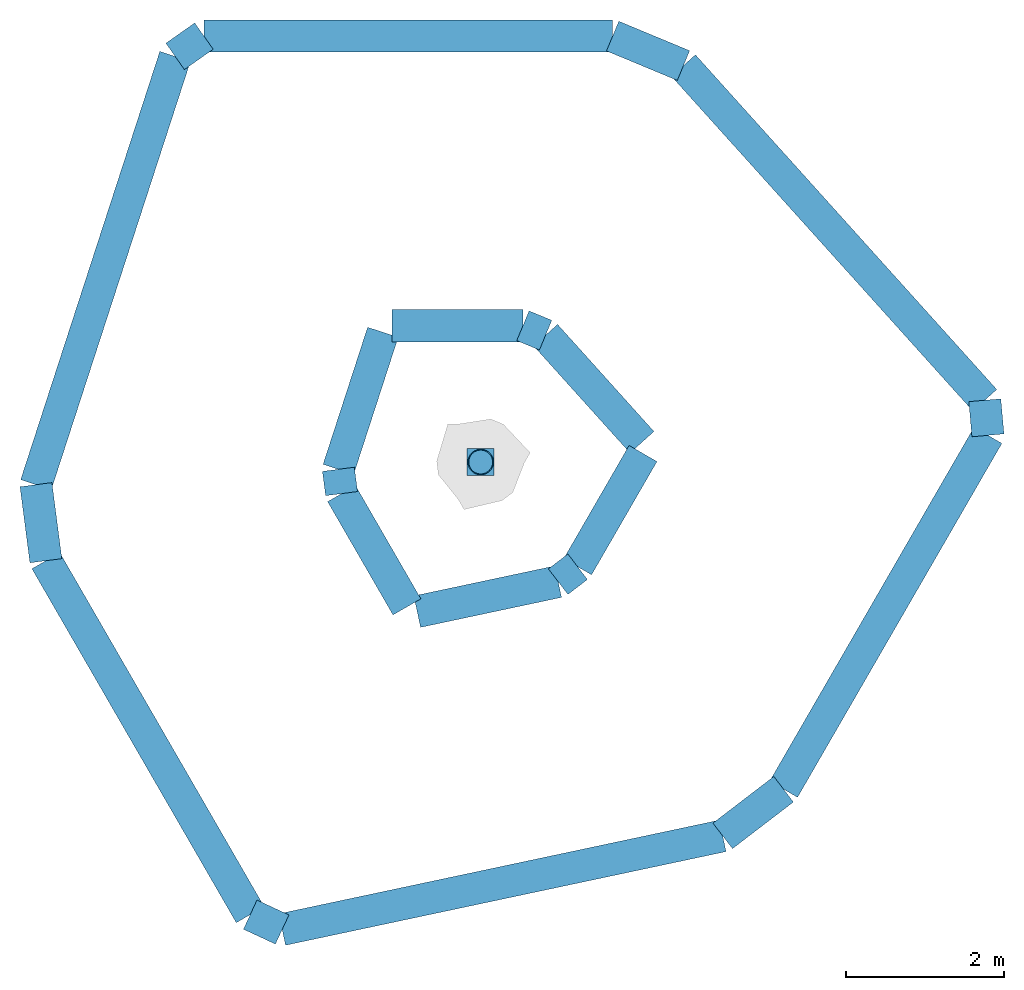
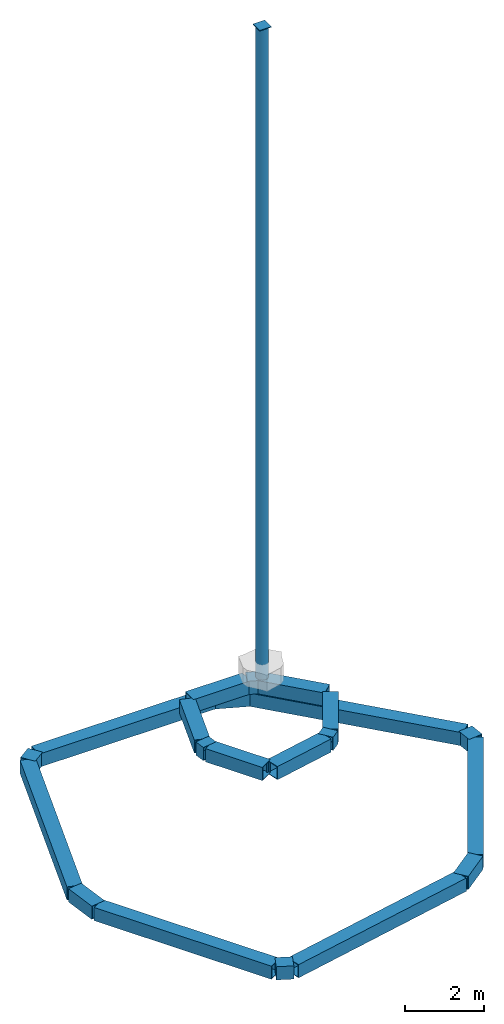
# One storey, part 1 of 2: 21 beams, 1 discrete accessory, 1 member.
"""IFC4 building model written with IfcOpenShell, lengths in metres."""

from ifc_helpers import new_model, si_unit, direction, frame, origin, origin_2d, place, context, subcontext, project, spatial, rectangle, hollow_rectangle, hollow_circle, extrude, material, material_profile, profile_set, type_object, element, save


model = new_model("IFC4")

# Units and contexts
model_context = context("Model", 3, precision=1e-05, world=origin(), true_north=direction((0.0, 1.0)))
body_context = subcontext(model_context, "Body", "Model", "MODEL_VIEW")
ifc_project = project(units=[si_unit("LENGTHUNIT", "METRE"), si_unit("AREAUNIT", "SQUARE_METRE"), si_unit("VOLUMEUNIT", "CUBIC_METRE"), si_unit("PLANEANGLEUNIT", "RADIAN"), si_unit("MASSUNIT", "GRAM", prefix="KILO")], contexts=[model_context])

# Site, building, storey
site_placement = place(None, origin())
site = spatial("IfcSite", under=ifc_project, at=site_placement, CompositionType="ELEMENT")
building_placement = place(site_placement, origin())
building = spatial("IfcBuilding", under=site, at=building_placement, Name="Isthmus Gate Tower", CompositionType="ELEMENT")
storey_placement = place(building_placement, frame((0.0, 0.0, 329.10009765625)))
storey = spatial("IfcBuildingStorey", under=building, at=storey_placement, Name="C7", CompositionType="ELEMENT", Elevation=329.10009765625)

# Beams
ifc_material_1 = material(Name="Structural steel ASTM A500 Gr C", Category="steel")
ifc_material_profile_1 = material_profile(ifc_material_1, hollow_rectangle(XDim=0.406494140625, YDim=0.406494140625, WallThickness=0.017578125, at=origin_2d()), Name="HSS16X16X3/4")
ifc_profile_set_1 = profile_set([ifc_material_profile_1], Name="Structural steel ASTM A500 Gr C")
beam_type_1 = type_object("IfcBeamType", Name="PYRAMID CAP RING HSS16X16X3/4", PredefinedType="BEAM", material=ifc_profile_set_1)
beam_1_placement = place(storey_placement, frame((0.53271484375, 1.719970703125, 3.059814453125), z_axis=(-1.0, 0.0, 0.0), x_axis=(0.0, -1.0, 0.0)))
element("IfcBeam", 1, at=beam_1_placement, inside=storey, type_object=beam_type_1, Name="str-crowncap-C7-00", PredefinedType="BEAM", context=body_context, shape_type="SweptSolid", body=[
    extrude(hollow_rectangle(XDim=0.406494140625, YDim=0.406494140625, WallThickness=0.017578125, at=origin_2d()), origin(), (0.0, 0.0, 1.0), 1.650146484375),
])
beam_2_placement = place(storey_placement, frame((-1.23388671875, 1.63818359375, 3.059814453125), z_axis=(-0.3090101892, -0.951058727404, 0.0), x_axis=(0.951058727404, -0.3090101892, 0.0)))
element("IfcBeam", 2, at=beam_2_placement, inside=storey, type_object=beam_type_1, Name="str-crowncap-C7-02", PredefinedType="BEAM", context=body_context, shape_type="SweptSolid", body=[
    extrude(hollow_rectangle(XDim=0.406494140625, YDim=0.406494140625, WallThickness=0.017578125, at=origin_2d()), origin(), (0.0, 0.0, 1.0), 1.81884765625),
])
beam_3_placement = place(storey_placement, frame((-1.7958984375, -0.091552734375, 3.059814453125), z_axis=(0.129271787561, -0.991609199706, 0.0), x_axis=(0.991609199706, 0.129271787561, 0.0)))
element("IfcBeam", 3, at=beam_3_placement, inside=storey, type_object=beam_type_1, Name="str-crowncap-C7-03", PredefinedType="BEAM", context=body_context, shape_type="SweptSolid", body=[
    extrude(hollow_rectangle(XDim=0.406494140625, YDim=0.406494140625, WallThickness=0.017578125, at=origin_2d()), origin(), (0.0, 0.0, 1.0), 0.309814453125),
])
beam_4_placement = place(storey_placement, frame((-1.755859375, -0.398681640625, 3.059814453125), z_axis=(0.499910289107, -0.866077192197, 0.0), x_axis=(0.866077192197, 0.499910289107, 0.0)))
element("IfcBeam", 4, at=beam_4_placement, inside=storey, type_object=beam_type_1, Name="str-crowncap-C7-04", PredefinedType="BEAM", context=body_context, shape_type="SweptSolid", body=[
    extrude(hollow_rectangle(XDim=0.406494140625, YDim=0.406494140625, WallThickness=0.017578125, at=origin_2d()), origin(), (0.0, 0.0, 1.0), 1.650146484375),
])
beam_5_placement = place(storey_placement, frame((-0.801513671875, -1.8876953125, 3.059814453125), z_axis=(0.978139057334, 0.207951880292, 0.0), x_axis=(-0.207951880292, 0.978139057334, 0.0)))
element("IfcBeam", 5, at=beam_5_placement, inside=storey, type_object=beam_type_1, Name="str-crowncap-C7-06", PredefinedType="BEAM", context=body_context, shape_type="SweptSolid", body=[
    extrude(hollow_rectangle(XDim=0.406494140625, YDim=0.406494140625, WallThickness=0.017578125, at=origin_2d()), origin(), (0.0, 0.0, 1.0), 1.818603515625),
])
beam_6_placement = place(storey_placement, frame((0.977294921875, -1.509521484375, 3.059814453125), z_axis=(0.79438022361, 0.607420826395, 0.0), x_axis=(-0.607420826395, 0.79438022361, 0.0)))
element("IfcBeam", 6, at=beam_6_placement, inside=storey, type_object=beam_type_1, Name="str-crowncap-C7-07", PredefinedType="BEAM", context=body_context, shape_type="SweptSolid", body=[
    extrude(hollow_rectangle(XDim=0.406494140625, YDim=0.406494140625, WallThickness=0.017578125, at=origin_2d()), origin(), (0.0, 0.0, 1.0), 0.3095703125),
])
beam_7_placement = place(storey_placement, frame((1.22314453125, -1.321533203125, 3.059814453125), z_axis=(0.499957196903, 0.866050114754, 0.0), x_axis=(-0.866050114754, 0.499957196903, 0.0)))
element("IfcBeam", 7, at=beam_7_placement, inside=storey, type_object=beam_type_1, Name="str-crowncap-C7-08", PredefinedType="BEAM", context=body_context, shape_type="SweptSolid", body=[
    extrude(hollow_rectangle(XDim=0.406494140625, YDim=0.406494140625, WallThickness=0.017578125, at=origin_2d()), origin(), (0.0, 0.0, 1.0), 1.650634765625),
])
beam_8_placement = place(storey_placement, frame((2.03564453125, 0.249755859375, 3.059814453125), z_axis=(-0.669150152324, 0.743127225746, 0.0), x_axis=(-0.743127225746, -0.669150152324, 0.0)))
element("IfcBeam", 8, at=beam_8_placement, inside=storey, type_object=beam_type_1, Name="str-crowncap-C7-10", PredefinedType="BEAM", context=body_context, shape_type="SweptSolid", body=[
    extrude(hollow_rectangle(XDim=0.406494140625, YDim=0.406494140625, WallThickness=0.017578125, at=origin_2d()), origin(), (0.0, 0.0, 1.0), 1.818359375),
])
beam_9_placement = place(storey_placement, frame((0.81884765625, 1.60107421875, 3.059814453125), z_axis=(-0.923449471837, 0.383720045038, 0.0), x_axis=(-0.383720045038, -0.923449471837, 0.0)))
element("IfcBeam", 9, at=beam_9_placement, inside=storey, type_object=beam_type_1, Name="str-crowncap-C7-11", PredefinedType="BEAM", context=body_context, shape_type="SweptSolid", body=[
    extrude(hollow_rectangle(XDim=0.406494140625, YDim=0.406494140625, WallThickness=0.017578125, at=origin_2d()), origin(), (0.0, 0.0, 1.0), 0.309814453125),
])
ifc_material_2 = material(Name="Structural steel ASTM A500 Gr C", Category="steel")
ifc_material_profile_2 = material_profile(ifc_material_2, hollow_rectangle(XDim=0.406494140625, YDim=0.406494140625, WallThickness=0.017578125, at=origin_2d()), Name="HSS16X16X3/4")
ifc_profile_set_2 = profile_set([ifc_material_profile_2], Name="Structural steel ASTM A500 Gr C")
beam_type_2 = type_object("IfcBeamType", Name="PYRAMID RING BEAM HSS16X16X3/4", PredefinedType="BEAM", material=ifc_profile_set_2)
beam_10_placement = place(storey_placement, frame((1.6650390625, 5.375, 0.0), z_axis=(-1.0, 0.0, 0.0), x_axis=(0.0, -1.0, 0.0)))
element("IfcBeam", 10, at=beam_10_placement, inside=storey, type_object=beam_type_2, Name="str-crownring-C7-00", PredefinedType="BEAM", context=body_context, shape_type="SweptSolid", body=[
    extrude(hollow_rectangle(XDim=0.406494140625, YDim=0.406494140625, WallThickness=0.017578125, at=origin_2d()), origin(), (0.0, 0.0, 1.0), 5.157470703125),
])
beam_11_placement = place(storey_placement, frame((-3.492431640625, 5.375, 0.0), z_axis=(-0.817682043663, -0.575670109934, 0.0), x_axis=(0.575670109934, -0.817682043663, 0.0)))
element("IfcBeam", 11, at=beam_11_placement, inside=storey, type_object=beam_type_2, Name="str-crownring-C7-01", PredefinedType="BEAM", context=body_context, shape_type="SweptSolid", body=[
    extrude(hollow_rectangle(XDim=0.406494140625, YDim=0.406494140625, WallThickness=0.017578125, at=origin_2d()), origin(), (0.0, 0.0, 1.0), 0.44482421875),
])
beam_12_placement = place(storey_placement, frame((-3.856201171875, 5.118896484375, 0.0), z_axis=(-0.309014187454, -0.951057428314, 0.0), x_axis=(0.951057428314, -0.309014187454, 0.0)))
element("IfcBeam", 12, at=beam_12_placement, inside=storey, type_object=beam_type_2, Name="str-crownring-C7-02", PredefinedType="BEAM", context=body_context, shape_type="SweptSolid", body=[
    extrude(hollow_rectangle(XDim=0.406494140625, YDim=0.406494140625, WallThickness=0.017578125, at=origin_2d()), origin(), (0.0, 0.0, 1.0), 5.682861328125),
])
beam_13_placement = place(storey_placement, frame((-5.6123046875, -0.285888671875, 0.0), z_axis=(0.12915584972, -0.991624307126, 0.0), x_axis=(0.991624307126, 0.12915584972, 0.0)))
element("IfcBeam", 13, at=beam_13_placement, inside=storey, type_object=beam_type_2, Name="str-crownring-C7-03", PredefinedType="BEAM", context=body_context, shape_type="SweptSolid", body=[
    extrude(hollow_rectangle(XDim=0.406494140625, YDim=0.406494140625, WallThickness=0.017578125, at=origin_2d()), origin(), (0.0, 0.0, 1.0), 0.9677734375),
])
beam_14_placement = place(storey_placement, frame((-5.4873046875, -1.24560546875, 0.0), z_axis=(0.49999837302, -0.86602634312, 0.0), x_axis=(0.86602634312, 0.49999837302, 0.0)))
element("IfcBeam", 14, at=beam_14_placement, inside=storey, type_object=beam_type_2, Name="str-crownring-C7-04", PredefinedType="BEAM", context=body_context, shape_type="SweptSolid", body=[
    extrude(hollow_rectangle(XDim=0.406494140625, YDim=0.406494140625, WallThickness=0.017578125, at=origin_2d()), origin(), (0.0, 0.0, 1.0), 5.1572265625),
])
beam_15_placement = place(storey_placement, frame((-2.90869140625, -5.7119140625, 0.0), z_axis=(0.907106258379, -0.420901693997, 0.0), x_axis=(0.420901693997, 0.907106258379, 0.0)))
element("IfcBeam", 15, at=beam_15_placement, inside=storey, type_object=beam_type_2, Name="str-crownring-C7-05", PredefinedType="BEAM", context=body_context, shape_type="SweptSolid", body=[
    extrude(hollow_rectangle(XDim=0.406494140625, YDim=0.406494140625, WallThickness=0.017578125, at=origin_2d()), origin(), (0.0, 0.0, 1.0), 0.44482421875),
])
beam_16_placement = place(storey_placement, frame((-2.505126953125, -5.899169921875, 0.0), z_axis=(0.978144982757, 0.207924007051, 0.0), x_axis=(-0.207924007051, 0.978144982757, 0.0)))
element("IfcBeam", 16, at=beam_16_placement, inside=storey, type_object=beam_type_2, Name="str-crownring-C7-06", PredefinedType="BEAM", context=body_context, shape_type="SweptSolid", body=[
    extrude(hollow_rectangle(XDim=0.406494140625, YDim=0.406494140625, WallThickness=0.017578125, at=origin_2d()), origin(), (0.0, 0.0, 1.0), 5.68310546875),
])
beam_17_placement = place(storey_placement, frame((3.0537109375, -4.717529296875, 0.0), z_axis=(0.794150130909, 0.607721621779, 0.0), x_axis=(-0.607721621779, 0.794150130909, 0.0)))
element("IfcBeam", 17, at=beam_17_placement, inside=storey, type_object=beam_type_2, Name="str-crownring-C7-07", PredefinedType="BEAM", context=body_context, shape_type="SweptSolid", body=[
    extrude(hollow_rectangle(XDim=0.406494140625, YDim=0.406494140625, WallThickness=0.017578125, at=origin_2d()), origin(), (0.0, 0.0, 1.0), 0.9677734375),
])
beam_18_placement = place(storey_placement, frame((3.822265625, -4.12939453125, 0.0), z_axis=(0.50003387636, 0.866005844375, 0.0), x_axis=(-0.866005844375, 0.50003387636, 0.0)))
element("IfcBeam", 18, at=beam_18_placement, inside=storey, type_object=beam_type_2, Name="str-crownring-C7-08", PredefinedType="BEAM", context=body_context, shape_type="SweptSolid", body=[
    extrude(hollow_rectangle(XDim=0.406494140625, YDim=0.406494140625, WallThickness=0.017578125, at=origin_2d()), origin(), (0.0, 0.0, 1.0), 5.157470703125),
])
beam_19_placement = place(storey_placement, frame((6.401123046875, 0.3369140625, 0.0), z_axis=(-0.089447176589, 0.995991567535, 0.0), x_axis=(-0.995991567535, -0.089447176589, 0.0)))
element("IfcBeam", 19, at=beam_19_placement, inside=storey, type_object=beam_type_2, Name="str-crownring-C7-09", PredefinedType="BEAM", context=body_context, shape_type="SweptSolid", body=[
    extrude(hollow_rectangle(XDim=0.406494140625, YDim=0.406494140625, WallThickness=0.017578125, at=origin_2d()), origin(), (0.0, 0.0, 1.0), 0.44482421875),
])
beam_20_placement = place(storey_placement, frame((6.361328125, 0.780029296875, 0.0), z_axis=(-0.669128481518, 0.743146738687, 0.0), x_axis=(-0.743146738687, -0.669128481518, 0.0)))
element("IfcBeam", 20, at=beam_20_placement, inside=storey, type_object=beam_type_2, Name="str-crownring-C7-10", PredefinedType="BEAM", context=body_context, shape_type="SweptSolid", body=[
    extrude(hollow_rectangle(XDim=0.406494140625, YDim=0.406494140625, WallThickness=0.017578125, at=origin_2d()), origin(), (0.0, 0.0, 1.0), 5.68310546875),
])
beam_21_placement = place(storey_placement, frame((2.55859375, 5.00341796875, 0.0), z_axis=(-0.923345398578, 0.383970408917, 0.0), x_axis=(-0.383970408917, -0.923345398578, 0.0)))
element("IfcBeam", 21, at=beam_21_placement, inside=storey, type_object=beam_type_2, Name="str-crownring-C7-11", PredefinedType="BEAM", context=body_context, shape_type="SweptSolid", body=[
    extrude(hollow_rectangle(XDim=0.406494140625, YDim=0.406494140625, WallThickness=0.017578125, at=origin_2d()), origin(), (0.0, 0.0, 1.0), 0.9677734375),
])

# Member
ifc_material_3 = material(Name="Structural steel ASTM A500 Gr C", Category="steel")
ifc_material_profile_3 = material_profile(ifc_material_3, hollow_circle(Radius=0.161865234375, WallThickness=0.01171875, at=origin_2d()), Name="HSS12.750X0.500")
ifc_profile_set_3 = profile_set([ifc_material_profile_3], Name="Structural steel ASTM A500 Gr C")
member_type = type_object("IfcMemberType", Name="SPIRE HSS12.750X0.500", PredefinedType="USERDEFINED", material=ifc_profile_set_3)
member_placement = place(storey_placement, frame((0.0, 0.0, 4.5), z_axis=(0.0, 0.0, 1.0), x_axis=(1.0, 0.0, 0.0)))
element("IfcMember", 22, at=member_placement, inside=storey, type_object=member_type, Name="str-spire-C7-1", ObjectType="SPIRE", PredefinedType="USERDEFINED", context=body_context, shape_type="SweptSolid", body=[
    extrude(hollow_circle(Radius=0.161865234375, WallThickness=0.01171875, at=origin_2d()), origin(), (0.0, 0.0, 1.0), 20.0),
])

# Discrete accessory
ifc_material_4 = material(Name="Structural steel ASTM A500 Gr C", Category="steel")
discrete_accessory_type = type_object("IfcDiscreteAccessoryType", Name="END CAP PLATE 340 X 20", PredefinedType="USERDEFINED", material=ifc_material_4)
discrete_accessory_placement = place(storey_placement, frame((0.0, 0.0, 24.5), z_axis=(0.0, 0.0, 1.0), x_axis=(1.0, 0.0, 0.0)))
element("IfcDiscreteAccessory", 23, at=discrete_accessory_placement, inside=storey, type_object=discrete_accessory_type, Name="END CAP PLATE", ObjectType="END CAP PLATE", PredefinedType="USERDEFINED", context=body_context, shape_type="SweptSolid", body=[
    extrude(rectangle(XDim=0.340087890625, YDim=0.340087890625, at=origin_2d()), origin(), (0.0, 0.0, 1.0), 0.02001953125),
])

save(model, "model.ifc")
